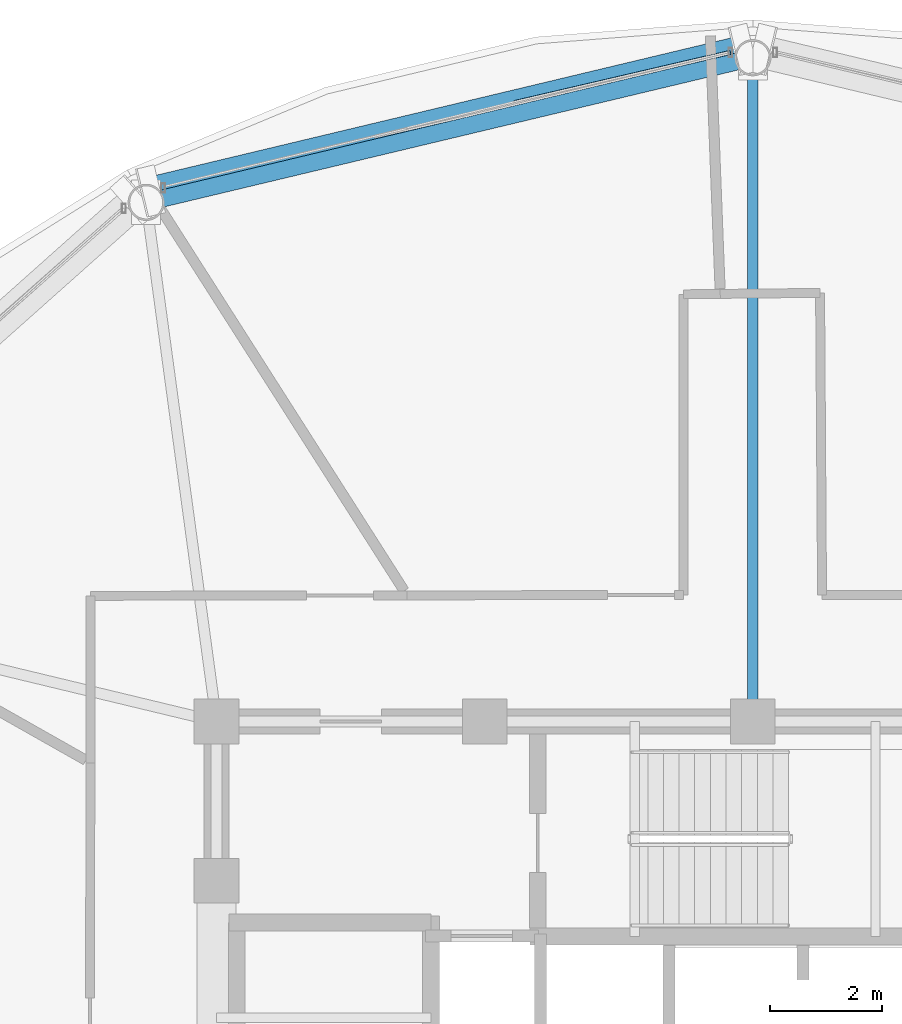
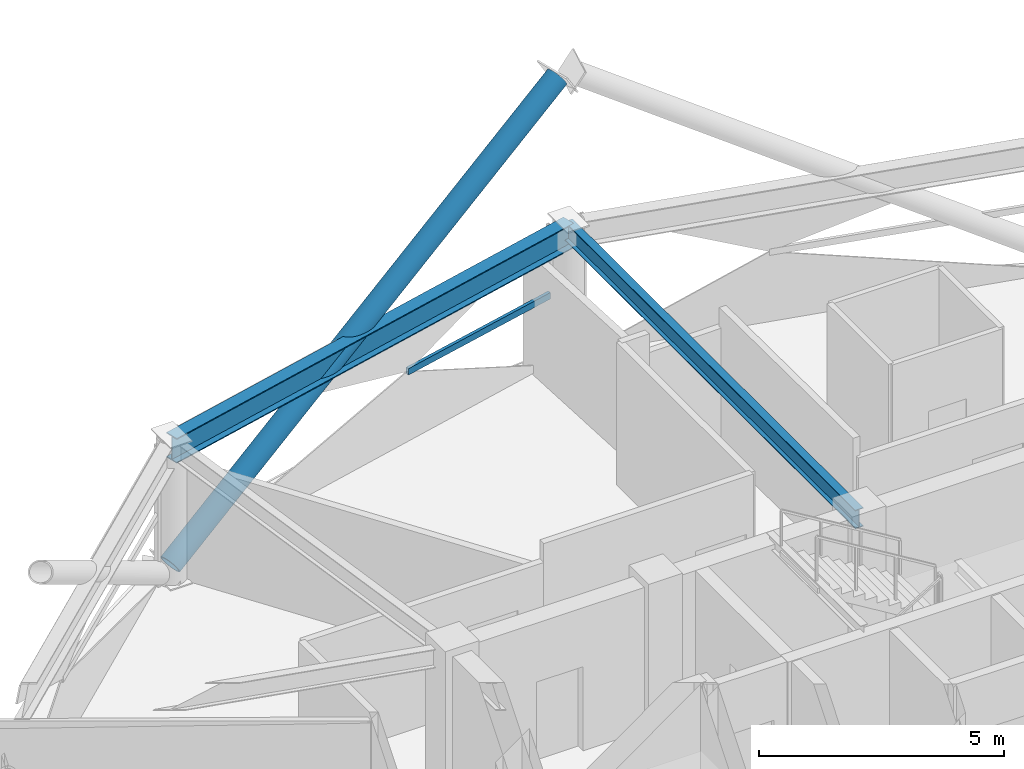
# One storey, part 17 of 28: 2 beams, 2 members, 1 element without a shape of its own.
"""IFC4 building model written with IfcOpenShell, lengths in metres."""

from ifc_helpers import new_model, si_unit, direction, frame, origin, origin_2d, place, context, subcontext, project, spatial, hollow_rectangle, hollow_circle, i_section, extrude, material, layer, layer_set, material_profile, profile_set, type_object, element, aggregate, save


model = new_model("IFC4")

# Units and contexts
model_context = context("Model", 3, precision=1e-05, world=origin(), true_north=direction((0.0, 1.0)))
body_context = subcontext(model_context, "Body", "Model", "MODEL_VIEW")
ifc_project = project(units=[si_unit("LENGTHUNIT", "METRE"), si_unit("AREAUNIT", "SQUARE_METRE"), si_unit("VOLUMEUNIT", "CUBIC_METRE"), si_unit("PLANEANGLEUNIT", "RADIAN"), si_unit("MASSUNIT", "GRAM", prefix="KILO")], contexts=[model_context])

# Site, building, storey
site_placement = place(None, origin())
site = spatial("IfcSite", under=ifc_project, at=site_placement, CompositionType="ELEMENT")
building_placement = place(site_placement, origin())
building = spatial("IfcBuilding", under=site, at=building_placement, Name="Vantalir Tower", CompositionType="ELEMENT")
storey_placement = place(building_placement, frame((0.0, 0.0, 242.39990234375)))
storey = spatial("IfcBuildingStorey", under=building, at=storey_placement, Name="L61", CompositionType="ELEMENT", Elevation=242.39990234375)

# Beams
ifc_material_1 = material(Name="Steel S355", Category="steel")
ifc_material_profile_1 = material_profile(ifc_material_1, i_section(OverallWidth=0.19189453125, OverallDepth=0.462890625, WebThickness=0.010498046875, FlangeThickness=0.017578125, at=origin_2d()), Name="Steel S355")
ifc_profile_set_1 = profile_set([ifc_material_profile_1], Name="Steel S355")
beam_type_1 = type_object("IfcBeamType", Name="BM-RB-457x191", PredefinedType="BEAM", material=ifc_profile_set_1)
beam_1_placement = place(storey_placement, frame((31.5, 44.3330078125, 3.338134765625), z_axis=(0.0, -1.0, 0.0), x_axis=(1.0, 0.0, 0.0)))
element("IfcBeam", 1, at=beam_1_placement, inside=storey, type_object=beam_type_1, Name="L61 Radial Floor Beam 04", PredefinedType="BEAM", context=body_context, shape_type="SweptSolid", body=[
    extrude(i_section(OverallWidth=0.19189453125, OverallDepth=0.462890625, WebThickness=0.010498046875, FlangeThickness=0.017578125, at=origin_2d()), origin(), (0.0, 0.0, 1.0), 11.883056640625),
])
ifc_material_2 = material(Name="Steel S460", Category="steel")
ifc_material_profile_2 = material_profile(ifc_material_2, i_section(OverallWidth=0.306884765625, OverallDepth=0.6201171875, WebThickness=0.01416015625, FlangeThickness=0.023681640625, at=origin_2d()), Name="Steel S460")
ifc_profile_set_2 = profile_set([ifc_material_profile_2], Name="Steel S460")
beam_type_2 = type_object("IfcBeamType", Name="BM-RG-610x305", PredefinedType="USERDEFINED", material=ifc_profile_set_2)
beam_2_placement = place(storey_placement, frame((31.5, 44.3330078125, 3.260009765625), z_axis=(-0.97271250926, -0.23201373737, 0.0), x_axis=(0.23201373737, -0.97271250926, 0.0)))
element("IfcBeam", 2, at=beam_2_placement, inside=storey, type_object=beam_type_2, Name="L61 Circumferential Ring Girder 04", ObjectType="GIRDER", PredefinedType="USERDEFINED", context=body_context, shape_type="SweptSolid", body=[
    extrude(i_section(OverallWidth=0.306884765625, OverallDepth=0.6201171875, WebThickness=0.01416015625, FlangeThickness=0.023681640625, at=origin_2d()), origin(), (0.0, 0.0, 1.0), 11.16357421875),
])

# Curtain wall, member
ifc_material_3 = material(Name="Champagne-silver PVDF aluminium and double-silver Low-E glass", Category="aluminium")
ifc_layer = layer(ifc_material_3, 0.2099609375)
ifc_layer_set = layer_set([ifc_layer], Name="Champagne-silver PVDF aluminium and double-silver Low-E glass")
curtain_wall_type = type_object("IfcCurtainWallType", Name="CW-DIAMOND-Z3", PredefinedType="USERDEFINED", material=ifc_layer_set)
curtain_wall_placement = place(storey_placement, origin())
curtain_wall = element("IfcCurtainWall", 3, at=curtain_wall_placement, inside=storey, type_object=curtain_wall_type, Name="L61 Quilted Pyramid-Diamond Curtain Wall S04", ObjectType="UNITISED CURTAIN WALL", PredefinedType="USERDEFINED")
ifc_material_4 = material(Name="Champagne-silver PVDF aluminium 6063-T6", Category="aluminium")
ifc_material_profile_3 = material_profile(ifc_material_4, hollow_rectangle(XDim=0.074951171875, YDim=0.159912109375, WallThickness=0.00390625, at=origin_2d()), Name="Champagne-silver PVDF aluminium 6063-T6")
ifc_profile_set_3 = profile_set([ifc_material_profile_3], Name="Champagne-silver PVDF aluminium 6063-T6")
member_type_1 = type_object("IfcMemberType", Name="CWT-160x75", PredefinedType="USERDEFINED", material=ifc_profile_set_3)
member_1_placement = place(storey_placement, frame((31.10107421875, 44.427978515625, 1.78515625), z_axis=(-0.974002975998, -0.226535213039, 0.0), x_axis=(0.226535213039, -0.974002975998, 0.0)))
member_1 = element("IfcMember", 4, at=member_1_placement, type_object=member_type_1, Name="CW-L61-S04 Pyramid Fold Ridge Transom", ObjectType="TRANSOM", PredefinedType="USERDEFINED", context=body_context, shape_type="SweptSolid", body=[
    extrude(hollow_rectangle(XDim=0.074951171875, YDim=0.159912109375, WallThickness=0.00390625, at=origin_2d()), origin(), (0.0, 0.0, 1.0), 3.96826171875),
])
aggregate(curtain_wall, [member_1])

# Member
ifc_material_profile_4 = material_profile(ifc_material_2, hollow_circle(Radius=0.25, WallThickness=0.031982421875, at=origin_2d()), Name="Steel S460")
ifc_profile_set_4 = profile_set([ifc_material_profile_4], Name="Steel S460")
member_type_2 = type_object("IfcMemberType", Name="MEM-DB-500x32", PredefinedType="BRACE", material=ifc_profile_set_4)
member_2_placement = place(storey_placement, frame((20.72705078125, 41.949951171875, 0.197998046875), z_axis=(0.820779852359, 0.196052589835, 0.536548055612), x_axis=(-0.232325647217, 0.972638058913, 0.0)))
element("IfcMember", 5, at=member_2_placement, inside=storey, type_object=member_type_2, Name="L61 Perimeter S460 Diagrid Brace R13R", PredefinedType="BRACE", context=body_context, shape_type="SweptSolid", body=[
    extrude(hollow_circle(Radius=0.25, WallThickness=0.031982421875, at=origin_2d()), origin(), (0.0, 0.0, 1.0), 12.90478515625),
])

save(model, "model.ifc")
